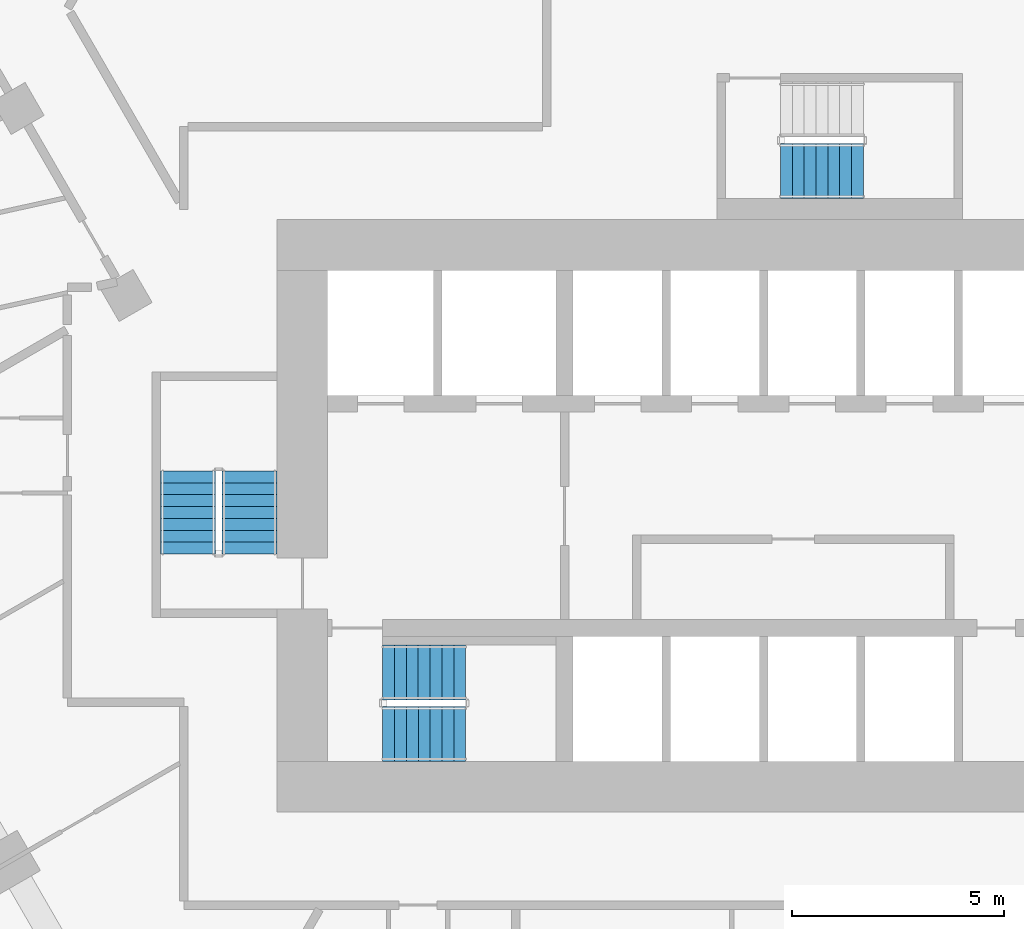
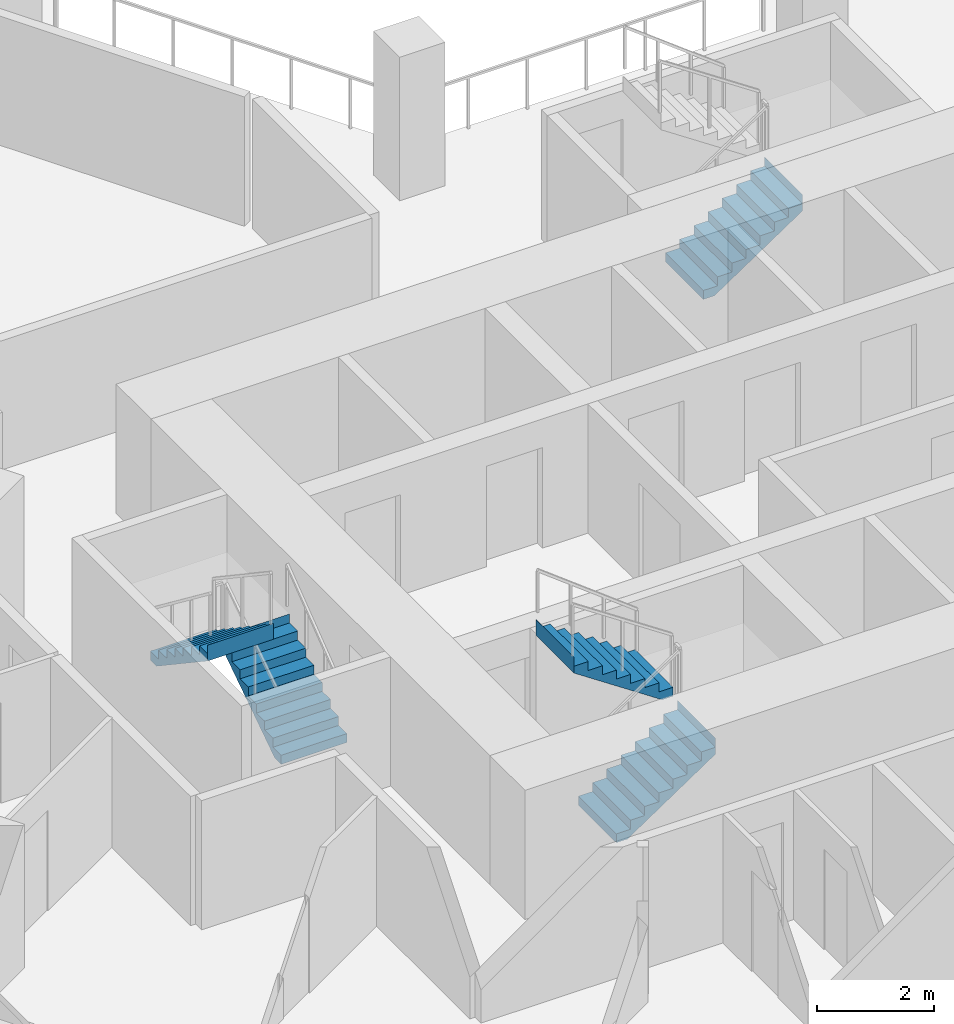
# One storey, part 16 of 21: 5 stair flights, 3 elements without a shape of their own.
"""IFC4 building model written with IfcOpenShell, lengths in metres."""

from ifc_helpers import new_model, si_unit, direction, frame, origin, place, context, subcontext, project, spatial, triangles, material, type_object, element, aggregate, save


model = new_model("IFC4")

# Units and contexts
model_context = context("Model", 3, precision=1e-05, world=origin(), true_north=direction((0.0, 1.0)))
body_context = subcontext(model_context, "Body", "Model", "MODEL_VIEW")
ifc_project = project(units=[si_unit("LENGTHUNIT", "METRE"), si_unit("AREAUNIT", "SQUARE_METRE"), si_unit("VOLUMEUNIT", "CUBIC_METRE"), si_unit("PLANEANGLEUNIT", "RADIAN"), si_unit("MASSUNIT", "GRAM", prefix="KILO")], contexts=[model_context])

# Site, building, storey
site_placement = place(None, origin())
site = spatial("IfcSite", under=ifc_project, at=site_placement, CompositionType="ELEMENT")
building_placement = place(site_placement, origin())
building = spatial("IfcBuilding", under=site, at=building_placement, Name="Beryl Residences", CompositionType="ELEMENT")
storey_placement = place(building_placement, frame((0.0, 0.0, 53.39990234375)))
storey = spatial("IfcBuildingStorey", under=building, at=storey_placement, Name="L16", CompositionType="ELEMENT", Elevation=53.39990234375)

# Stair, stair flights
ifc_material_1 = material(Name="Concrete C40/50", Category="concrete")
stair_type = type_object("IfcStairType", Name="ST1 protected exit stair, half-turn, 1300 mm flights", PredefinedType="HALF_TURN_STAIR", material=ifc_material_1)
stair_1_placement = place(storey_placement, origin())
stair_1 = element("IfcStair", 1, at=stair_1_placement, inside=storey, type_object=stair_type, Name="L16 PROTECTED EXIT STAIR ST-1", PredefinedType="HALF_TURN_STAIR")
ifc_material_2 = material(Name="Concrete C40/50", Category="concrete")
stair_flight_type = type_object("IfcStairFlightType", Name="SF1 stair flight 1300 mm", PredefinedType="STRAIGHT", material=ifc_material_2)
stair_flight_1_placement = place(storey_placement, frame((-10.800048828125, -17.14990234375, 0.0), z_axis=(0.0, 0.0, 1.0), x_axis=(1.0, 0.0, 0.0)))
stair_flight_1 = element("IfcStairFlight", 2, at=stair_flight_1_placement, type_object=stair_flight_type, Name="ST-1 flight 1", NumberOfRisers=8, NumberOfTreads=7, PredefinedType="STRAIGHT", RiserHeight=0.1875, TreadLength=0.28, context=body_context, shape_type="Tessellation", body=[
    triangles([(0.0, -0.64990234375, 0.0), (0.0, -0.324951171875, 0.0), (0.0, 0.0, 0.0), (0.0, 0.324951171875, 0.0), (0.0, 0.64990234375, 0.0), (0.0, -0.64990234375, 0.1875), (0.0, -0.324951171875, 0.1875), (0.0, 0.0, 0.1875), (0.0, 0.324951171875, 0.1875), (0.0, 0.64990234375, 0.1875), (0.280029296875, -0.64990234375, 0.1875), (0.280029296875, -0.324951171875, 0.1875), (0.280029296875, 0.0, 0.1875), (0.280029296875, 0.324951171875, 0.1875), (0.280029296875, 0.64990234375, 0.1875), (0.280029296875, -0.64990234375, 0.375), (0.280029296875, -0.324951171875, 0.375), (0.280029296875, 0.0, 0.375), (0.280029296875, 0.324951171875, 0.375), (0.280029296875, 0.64990234375, 0.375), (0.56005859375, -0.64990234375, 0.375), (0.56005859375, -0.324951171875, 0.375), (0.56005859375, 0.0, 0.375), (0.56005859375, 0.324951171875, 0.375), (0.56005859375, 0.64990234375, 0.375), (0.56005859375, -0.64990234375, 0.5625), (0.56005859375, -0.324951171875, 0.5625), (0.56005859375, 0.0, 0.5625), (0.56005859375, 0.324951171875, 0.5625), (0.56005859375, 0.64990234375, 0.5625), (0.840087890625, -0.64990234375, 0.5625), (0.840087890625, -0.324951171875, 0.5625), (0.840087890625, 0.0, 0.5625), (0.840087890625, 0.324951171875, 0.5625), (0.840087890625, 0.64990234375, 0.5625), (0.840087890625, -0.64990234375, 0.75), (0.840087890625, -0.324951171875, 0.75), (0.840087890625, 0.0, 0.75), (0.840087890625, 0.324951171875, 0.75), (0.840087890625, 0.64990234375, 0.75), (1.1201171875, -0.64990234375, 0.75), (1.1201171875, -0.324951171875, 0.75), (1.1201171875, 0.0, 0.75), (1.1201171875, 0.324951171875, 0.75), (1.1201171875, 0.64990234375, 0.75), (1.1201171875, -0.64990234375, 0.9375), (1.1201171875, -0.324951171875, 0.9375), (1.1201171875, 0.0, 0.9375), (1.1201171875, 0.324951171875, 0.9375), (1.1201171875, 0.64990234375, 0.9375), (1.39990234375, -0.64990234375, 0.9375), (1.39990234375, -0.324951171875, 0.9375), (1.39990234375, 0.0, 0.9375), (1.39990234375, 0.324951171875, 0.9375), (1.39990234375, 0.64990234375, 0.9375), (1.39990234375, -0.64990234375, 1.125), (1.39990234375, -0.324951171875, 1.125), (1.39990234375, 0.0, 1.125), (1.39990234375, 0.324951171875, 1.125), (1.39990234375, 0.64990234375, 1.125), (1.679931640625, -0.64990234375, 1.125), (1.679931640625, -0.324951171875, 1.125), (1.679931640625, 0.0, 1.125), (1.679931640625, 0.324951171875, 1.125), (1.679931640625, 0.64990234375, 1.125), (1.679931640625, -0.64990234375, 1.3125), (1.679931640625, -0.324951171875, 1.3125), (1.679931640625, 0.0, 1.3125), (1.679931640625, 0.324951171875, 1.3125), (1.679931640625, 0.64990234375, 1.3125), (1.9599609375, -0.64990234375, 1.3125), (1.9599609375, -0.324951171875, 1.3125), (1.9599609375, 0.0, 1.3125), (1.9599609375, 0.324951171875, 1.3125), (1.9599609375, 0.64990234375, 1.3125), (1.9599609375, -0.64990234375, 1.5), (1.9599609375, -0.324951171875, 1.5), (1.9599609375, 0.0, 1.5), (1.9599609375, 0.324951171875, 1.5), (1.9599609375, 0.64990234375, 1.5), (1.9609375, -0.64990234375, 1.5), (1.9609375, -0.324951171875, 1.5), (1.9609375, 0.0, 1.5), (1.9609375, 0.324951171875, 1.5), (1.9609375, 0.64990234375, 1.5), (1.9609375, -0.64990234375, 1.16796875), (1.9609375, -0.324951171875, 1.16796875), (1.9609375, 0.0, 1.16796875), (1.9609375, 0.324951171875, 1.16796875), (1.9609375, 0.64990234375, 1.16796875), (0.216796875, -0.64990234375, 0.0), (0.216796875, -0.324951171875, 0.0), (0.216796875, 0.0, 0.0), (0.216796875, 0.324951171875, 0.0), (0.216796875, 0.64990234375, 0.0)], [[1, 6, 7], [1, 7, 2], [2, 7, 8], [2, 8, 3], [3, 8, 9], [3, 9, 4], [4, 9, 10], [4, 10, 5], [6, 11, 12], [6, 12, 7], [7, 12, 13], [7, 13, 8], [8, 13, 14], [8, 14, 9], [9, 14, 15], [9, 15, 10], [11, 16, 17], [11, 17, 12], [12, 17, 18], [12, 18, 13], [13, 18, 19], [13, 19, 14], [14, 19, 20], [14, 20, 15], [16, 21, 22], [16, 22, 17], [17, 22, 23], [17, 23, 18], [18, 23, 24], [18, 24, 19], [19, 24, 25], [19, 25, 20], [21, 26, 27], [21, 27, 22], [22, 27, 28], [22, 28, 23], [23, 28, 29], [23, 29, 24], [24, 29, 30], [24, 30, 25], [26, 31, 32], [26, 32, 27], [27, 32, 33], [27, 33, 28], [28, 33, 34], [28, 34, 29], [29, 34, 35], [29, 35, 30], [31, 36, 37], [31, 37, 32], [32, 37, 38], [32, 38, 33], [33, 38, 39], [33, 39, 34], [34, 39, 40], [34, 40, 35], [36, 41, 42], [36, 42, 37], [37, 42, 43], [37, 43, 38], [38, 43, 44], [38, 44, 39], [39, 44, 45], [39, 45, 40], [41, 46, 47], [41, 47, 42], [42, 47, 48], [42, 48, 43], [43, 48, 49], [43, 49, 44], [44, 49, 50], [44, 50, 45], [46, 51, 52], [46, 52, 47], [47, 52, 53], [47, 53, 48], [48, 53, 54], [48, 54, 49], [49, 54, 55], [49, 55, 50], [51, 56, 57], [51, 57, 52], [52, 57, 58], [52, 58, 53], [53, 58, 59], [53, 59, 54], [54, 59, 60], [54, 60, 55], [56, 61, 62], [56, 62, 57], [57, 62, 63], [57, 63, 58], [58, 63, 64], [58, 64, 59], [59, 64, 65], [59, 65, 60], [61, 66, 67], [61, 67, 62], [62, 67, 68], [62, 68, 63], [63, 68, 69], [63, 69, 64], [64, 69, 70], [64, 70, 65], [66, 71, 72], [66, 72, 67], [67, 72, 73], [67, 73, 68], [68, 73, 74], [68, 74, 69], [69, 74, 75], [69, 75, 70], [71, 76, 77], [71, 77, 72], [72, 77, 78], [72, 78, 73], [73, 78, 79], [73, 79, 74], [74, 79, 80], [74, 80, 75], [76, 81, 82], [76, 82, 77], [77, 82, 83], [77, 83, 78], [78, 83, 84], [78, 84, 79], [79, 84, 85], [79, 85, 80], [81, 86, 87], [81, 87, 82], [82, 87, 88], [82, 88, 83], [83, 88, 89], [83, 89, 84], [84, 89, 90], [84, 90, 85], [86, 91, 92], [86, 92, 87], [87, 92, 93], [87, 93, 88], [88, 93, 94], [88, 94, 89], [89, 94, 95], [89, 95, 90], [91, 1, 2], [91, 2, 92], [92, 2, 3], [92, 3, 93], [93, 3, 4], [93, 4, 94], [94, 4, 5], [94, 5, 95], [1, 91, 86], [5, 90, 95], [86, 81, 76], [90, 80, 85], [86, 76, 71], [90, 75, 80], [86, 71, 66], [90, 70, 75], [86, 66, 61], [90, 65, 70], [61, 56, 51], [65, 55, 60], [86, 61, 51], [90, 55, 65], [51, 46, 41], [55, 45, 50], [86, 51, 41], [90, 45, 55], [41, 36, 31], [45, 35, 40], [86, 41, 31], [90, 35, 45], [31, 26, 21], [35, 25, 30], [86, 31, 21], [90, 25, 35], [21, 16, 11], [25, 15, 20], [86, 21, 11], [90, 15, 25], [1, 86, 11], [5, 15, 90], [11, 6, 1], [15, 5, 10]], closed=True),
])
stair_flight_2_placement = place(storey_placement, frame((-8.840087890625, -15.699951171875, 1.5), z_axis=(0.0, 0.0, 1.0), x_axis=(-1.0, 0.0, 0.0)))
stair_flight_2 = element("IfcStairFlight", 3, at=stair_flight_2_placement, type_object=stair_flight_type, Name="ST-1 flight 2", NumberOfRisers=8, NumberOfTreads=7, PredefinedType="STRAIGHT", RiserHeight=0.1875, TreadLength=0.28, context=body_context, shape_type="Tessellation", body=[
    triangles([(0.0, -0.64990234375, 0.0), (0.0, -0.324951171875, 0.0), (0.0, 0.0, 0.0), (0.0, 0.324951171875, 0.0), (0.0, 0.64990234375, 0.0), (0.0, -0.64990234375, 0.1875), (0.0, -0.324951171875, 0.1875), (0.0, 0.0, 0.1875), (0.0, 0.324951171875, 0.1875), (0.0, 0.64990234375, 0.1875), (0.280029296875, -0.64990234375, 0.1875), (0.280029296875, -0.324951171875, 0.1875), (0.280029296875, 0.0, 0.1875), (0.280029296875, 0.324951171875, 0.1875), (0.280029296875, 0.64990234375, 0.1875), (0.280029296875, -0.64990234375, 0.375), (0.280029296875, -0.324951171875, 0.375), (0.280029296875, 0.0, 0.375), (0.280029296875, 0.324951171875, 0.375), (0.280029296875, 0.64990234375, 0.375), (0.56005859375, -0.64990234375, 0.375), (0.56005859375, -0.324951171875, 0.375), (0.56005859375, 0.0, 0.375), (0.56005859375, 0.324951171875, 0.375), (0.56005859375, 0.64990234375, 0.375), (0.56005859375, -0.64990234375, 0.5625), (0.56005859375, -0.324951171875, 0.5625), (0.56005859375, 0.0, 0.5625), (0.56005859375, 0.324951171875, 0.5625), (0.56005859375, 0.64990234375, 0.5625), (0.840087890625, -0.64990234375, 0.5625), (0.840087890625, -0.324951171875, 0.5625), (0.840087890625, 0.0, 0.5625), (0.840087890625, 0.324951171875, 0.5625), (0.840087890625, 0.64990234375, 0.5625), (0.840087890625, -0.64990234375, 0.75), (0.840087890625, -0.324951171875, 0.75), (0.840087890625, 0.0, 0.75), (0.840087890625, 0.324951171875, 0.75), (0.840087890625, 0.64990234375, 0.75), (1.1201171875, -0.64990234375, 0.75), (1.1201171875, -0.324951171875, 0.75), (1.1201171875, 0.0, 0.75), (1.1201171875, 0.324951171875, 0.75), (1.1201171875, 0.64990234375, 0.75), (1.1201171875, -0.64990234375, 0.9375), (1.1201171875, -0.324951171875, 0.9375), (1.1201171875, 0.0, 0.9375), (1.1201171875, 0.324951171875, 0.9375), (1.1201171875, 0.64990234375, 0.9375), (1.39990234375, -0.64990234375, 0.9375), (1.39990234375, -0.324951171875, 0.9375), (1.39990234375, 0.0, 0.9375), (1.39990234375, 0.324951171875, 0.9375), (1.39990234375, 0.64990234375, 0.9375), (1.39990234375, -0.64990234375, 1.125), (1.39990234375, -0.324951171875, 1.125), (1.39990234375, 0.0, 1.125), (1.39990234375, 0.324951171875, 1.125), (1.39990234375, 0.64990234375, 1.125), (1.679931640625, -0.64990234375, 1.125), (1.679931640625, -0.324951171875, 1.125), (1.679931640625, 0.0, 1.125), (1.679931640625, 0.324951171875, 1.125), (1.679931640625, 0.64990234375, 1.125), (1.679931640625, -0.64990234375, 1.3125), (1.679931640625, -0.324951171875, 1.3125), (1.679931640625, 0.0, 1.3125), (1.679931640625, 0.324951171875, 1.3125), (1.679931640625, 0.64990234375, 1.3125), (1.9599609375, -0.64990234375, 1.3125), (1.9599609375, -0.324951171875, 1.3125), (1.9599609375, 0.0, 1.3125), (1.9599609375, 0.324951171875, 1.3125), (1.9599609375, 0.64990234375, 1.3125), (1.9599609375, -0.64990234375, 1.5), (1.9599609375, -0.324951171875, 1.5), (1.9599609375, 0.0, 1.5), (1.9599609375, 0.324951171875, 1.5), (1.9599609375, 0.64990234375, 1.5), (1.9609375, -0.64990234375, 1.5), (1.9609375, -0.324951171875, 1.5), (1.9609375, 0.0, 1.5), (1.9609375, 0.324951171875, 1.5), (1.9609375, 0.64990234375, 1.5), (1.9609375, -0.64990234375, 1.16796875), (1.9609375, -0.324951171875, 1.16796875), (1.9609375, 0.0, 1.16796875), (1.9609375, 0.324951171875, 1.16796875), (1.9609375, 0.64990234375, 1.16796875), (0.216796875, -0.64990234375, 0.0), (0.216796875, -0.324951171875, 0.0), (0.216796875, 0.0, 0.0), (0.216796875, 0.324951171875, 0.0), (0.216796875, 0.64990234375, 0.0)], [[1, 6, 7], [1, 7, 2], [2, 7, 8], [2, 8, 3], [3, 8, 9], [3, 9, 4], [4, 9, 10], [4, 10, 5], [6, 11, 12], [6, 12, 7], [7, 12, 13], [7, 13, 8], [8, 13, 14], [8, 14, 9], [9, 14, 15], [9, 15, 10], [11, 16, 17], [11, 17, 12], [12, 17, 18], [12, 18, 13], [13, 18, 19], [13, 19, 14], [14, 19, 20], [14, 20, 15], [16, 21, 22], [16, 22, 17], [17, 22, 23], [17, 23, 18], [18, 23, 24], [18, 24, 19], [19, 24, 25], [19, 25, 20], [21, 26, 27], [21, 27, 22], [22, 27, 28], [22, 28, 23], [23, 28, 29], [23, 29, 24], [24, 29, 30], [24, 30, 25], [26, 31, 32], [26, 32, 27], [27, 32, 33], [27, 33, 28], [28, 33, 34], [28, 34, 29], [29, 34, 35], [29, 35, 30], [31, 36, 37], [31, 37, 32], [32, 37, 38], [32, 38, 33], [33, 38, 39], [33, 39, 34], [34, 39, 40], [34, 40, 35], [36, 41, 42], [36, 42, 37], [37, 42, 43], [37, 43, 38], [38, 43, 44], [38, 44, 39], [39, 44, 45], [39, 45, 40], [41, 46, 47], [41, 47, 42], [42, 47, 48], [42, 48, 43], [43, 48, 49], [43, 49, 44], [44, 49, 50], [44, 50, 45], [46, 51, 52], [46, 52, 47], [47, 52, 53], [47, 53, 48], [48, 53, 54], [48, 54, 49], [49, 54, 55], [49, 55, 50], [51, 56, 57], [51, 57, 52], [52, 57, 58], [52, 58, 53], [53, 58, 59], [53, 59, 54], [54, 59, 60], [54, 60, 55], [56, 61, 62], [56, 62, 57], [57, 62, 63], [57, 63, 58], [58, 63, 64], [58, 64, 59], [59, 64, 65], [59, 65, 60], [61, 66, 67], [61, 67, 62], [62, 67, 68], [62, 68, 63], [63, 68, 69], [63, 69, 64], [64, 69, 70], [64, 70, 65], [66, 71, 72], [66, 72, 67], [67, 72, 73], [67, 73, 68], [68, 73, 74], [68, 74, 69], [69, 74, 75], [69, 75, 70], [71, 76, 77], [71, 77, 72], [72, 77, 78], [72, 78, 73], [73, 78, 79], [73, 79, 74], [74, 79, 80], [74, 80, 75], [76, 81, 82], [76, 82, 77], [77, 82, 83], [77, 83, 78], [78, 83, 84], [78, 84, 79], [79, 84, 85], [79, 85, 80], [81, 86, 87], [81, 87, 82], [82, 87, 88], [82, 88, 83], [83, 88, 89], [83, 89, 84], [84, 89, 90], [84, 90, 85], [86, 91, 92], [86, 92, 87], [87, 92, 93], [87, 93, 88], [88, 93, 94], [88, 94, 89], [89, 94, 95], [89, 95, 90], [91, 1, 2], [91, 2, 92], [92, 2, 3], [92, 3, 93], [93, 3, 4], [93, 4, 94], [94, 4, 5], [94, 5, 95], [1, 91, 86], [5, 90, 95], [86, 81, 76], [90, 80, 85], [86, 76, 71], [90, 75, 80], [86, 71, 66], [90, 70, 75], [86, 66, 61], [90, 65, 70], [61, 56, 51], [65, 55, 60], [86, 61, 51], [90, 55, 65], [51, 46, 41], [55, 45, 50], [86, 51, 41], [90, 45, 55], [41, 36, 31], [45, 35, 40], [86, 41, 31], [90, 35, 45], [31, 26, 21], [35, 25, 30], [86, 31, 21], [90, 25, 35], [21, 16, 11], [25, 15, 20], [86, 21, 11], [90, 15, 25], [1, 86, 11], [5, 15, 90], [11, 6, 1], [15, 5, 10]], closed=True),
])
aggregate(stair_1, [stair_flight_1, stair_flight_2])

stair_2_placement = place(storey_placement, origin())
stair_2 = element("IfcStair", 4, at=stair_2_placement, inside=storey, type_object=stair_type, Name="L16 PROTECTED EXIT STAIR ST-2", PredefinedType="HALF_TURN_STAIR")
stair_flight_3_placement = place(storey_placement, frame((-13.949951171875, -12.89990234375, 0.0), z_axis=(0.0, 0.0, 1.0), x_axis=(0.0, 1.0, 0.0)))
stair_flight_3 = element("IfcStairFlight", 5, at=stair_flight_3_placement, type_object=stair_flight_type, Name="ST-2 flight 1", NumberOfRisers=8, NumberOfTreads=7, PredefinedType="STRAIGHT", RiserHeight=0.1875, TreadLength=0.28, context=body_context, shape_type="Tessellation", body=[
    triangles([(0.0, -0.64990234375, 0.0), (0.0, -0.324951171875, 0.0), (0.0, 0.0, 0.0), (0.0, 0.324951171875, 0.0), (0.0, 0.64990234375, 0.0), (0.0, -0.64990234375, 0.1875), (0.0, -0.324951171875, 0.1875), (0.0, 0.0, 0.1875), (0.0, 0.324951171875, 0.1875), (0.0, 0.64990234375, 0.1875), (0.280029296875, -0.64990234375, 0.1875), (0.280029296875, -0.324951171875, 0.1875), (0.280029296875, 0.0, 0.1875), (0.280029296875, 0.324951171875, 0.1875), (0.280029296875, 0.64990234375, 0.1875), (0.280029296875, -0.64990234375, 0.375), (0.280029296875, -0.324951171875, 0.375), (0.280029296875, 0.0, 0.375), (0.280029296875, 0.324951171875, 0.375), (0.280029296875, 0.64990234375, 0.375), (0.56005859375, -0.64990234375, 0.375), (0.56005859375, -0.324951171875, 0.375), (0.56005859375, 0.0, 0.375), (0.56005859375, 0.324951171875, 0.375), (0.56005859375, 0.64990234375, 0.375), (0.56005859375, -0.64990234375, 0.5625), (0.56005859375, -0.324951171875, 0.5625), (0.56005859375, 0.0, 0.5625), (0.56005859375, 0.324951171875, 0.5625), (0.56005859375, 0.64990234375, 0.5625), (0.840087890625, -0.64990234375, 0.5625), (0.840087890625, -0.324951171875, 0.5625), (0.840087890625, 0.0, 0.5625), (0.840087890625, 0.324951171875, 0.5625), (0.840087890625, 0.64990234375, 0.5625), (0.840087890625, -0.64990234375, 0.75), (0.840087890625, -0.324951171875, 0.75), (0.840087890625, 0.0, 0.75), (0.840087890625, 0.324951171875, 0.75), (0.840087890625, 0.64990234375, 0.75), (1.1201171875, -0.64990234375, 0.75), (1.1201171875, -0.324951171875, 0.75), (1.1201171875, 0.0, 0.75), (1.1201171875, 0.324951171875, 0.75), (1.1201171875, 0.64990234375, 0.75), (1.1201171875, -0.64990234375, 0.9375), (1.1201171875, -0.324951171875, 0.9375), (1.1201171875, 0.0, 0.9375), (1.1201171875, 0.324951171875, 0.9375), (1.1201171875, 0.64990234375, 0.9375), (1.39990234375, -0.64990234375, 0.9375), (1.39990234375, -0.324951171875, 0.9375), (1.39990234375, 0.0, 0.9375), (1.39990234375, 0.324951171875, 0.9375), (1.39990234375, 0.64990234375, 0.9375), (1.39990234375, -0.64990234375, 1.125), (1.39990234375, -0.324951171875, 1.125), (1.39990234375, 0.0, 1.125), (1.39990234375, 0.324951171875, 1.125), (1.39990234375, 0.64990234375, 1.125), (1.679931640625, -0.64990234375, 1.125), (1.679931640625, -0.324951171875, 1.125), (1.679931640625, 0.0, 1.125), (1.679931640625, 0.324951171875, 1.125), (1.679931640625, 0.64990234375, 1.125), (1.679931640625, -0.64990234375, 1.3125), (1.679931640625, -0.324951171875, 1.3125), (1.679931640625, 0.0, 1.3125), (1.679931640625, 0.324951171875, 1.3125), (1.679931640625, 0.64990234375, 1.3125), (1.9599609375, -0.64990234375, 1.3125), (1.9599609375, -0.324951171875, 1.3125), (1.9599609375, 0.0, 1.3125), (1.9599609375, 0.324951171875, 1.3125), (1.9599609375, 0.64990234375, 1.3125), (1.9599609375, -0.64990234375, 1.5), (1.9599609375, -0.324951171875, 1.5), (1.9599609375, 0.0, 1.5), (1.9599609375, 0.324951171875, 1.5), (1.9599609375, 0.64990234375, 1.5), (1.9609375, -0.64990234375, 1.5), (1.9609375, -0.324951171875, 1.5), (1.9609375, 0.0, 1.5), (1.9609375, 0.324951171875, 1.5), (1.9609375, 0.64990234375, 1.5), (1.9609375, -0.64990234375, 1.16796875), (1.9609375, -0.324951171875, 1.16796875), (1.9609375, 0.0, 1.16796875), (1.9609375, 0.324951171875, 1.16796875), (1.9609375, 0.64990234375, 1.16796875), (0.216796875, -0.64990234375, 0.0), (0.216796875, -0.324951171875, 0.0), (0.216796875, 0.0, 0.0), (0.216796875, 0.324951171875, 0.0), (0.216796875, 0.64990234375, 0.0)], [[1, 6, 7], [1, 7, 2], [2, 7, 8], [2, 8, 3], [3, 8, 9], [3, 9, 4], [4, 9, 10], [4, 10, 5], [6, 11, 12], [6, 12, 7], [7, 12, 13], [7, 13, 8], [8, 13, 14], [8, 14, 9], [9, 14, 15], [9, 15, 10], [11, 16, 17], [11, 17, 12], [12, 17, 18], [12, 18, 13], [13, 18, 19], [13, 19, 14], [14, 19, 20], [14, 20, 15], [16, 21, 22], [16, 22, 17], [17, 22, 23], [17, 23, 18], [18, 23, 24], [18, 24, 19], [19, 24, 25], [19, 25, 20], [21, 26, 27], [21, 27, 22], [22, 27, 28], [22, 28, 23], [23, 28, 29], [23, 29, 24], [24, 29, 30], [24, 30, 25], [26, 31, 32], [26, 32, 27], [27, 32, 33], [27, 33, 28], [28, 33, 34], [28, 34, 29], [29, 34, 35], [29, 35, 30], [31, 36, 37], [31, 37, 32], [32, 37, 38], [32, 38, 33], [33, 38, 39], [33, 39, 34], [34, 39, 40], [34, 40, 35], [36, 41, 42], [36, 42, 37], [37, 42, 43], [37, 43, 38], [38, 43, 44], [38, 44, 39], [39, 44, 45], [39, 45, 40], [41, 46, 47], [41, 47, 42], [42, 47, 48], [42, 48, 43], [43, 48, 49], [43, 49, 44], [44, 49, 50], [44, 50, 45], [46, 51, 52], [46, 52, 47], [47, 52, 53], [47, 53, 48], [48, 53, 54], [48, 54, 49], [49, 54, 55], [49, 55, 50], [51, 56, 57], [51, 57, 52], [52, 57, 58], [52, 58, 53], [53, 58, 59], [53, 59, 54], [54, 59, 60], [54, 60, 55], [56, 61, 62], [56, 62, 57], [57, 62, 63], [57, 63, 58], [58, 63, 64], [58, 64, 59], [59, 64, 65], [59, 65, 60], [61, 66, 67], [61, 67, 62], [62, 67, 68], [62, 68, 63], [63, 68, 69], [63, 69, 64], [64, 69, 70], [64, 70, 65], [66, 71, 72], [66, 72, 67], [67, 72, 73], [67, 73, 68], [68, 73, 74], [68, 74, 69], [69, 74, 75], [69, 75, 70], [71, 76, 77], [71, 77, 72], [72, 77, 78], [72, 78, 73], [73, 78, 79], [73, 79, 74], [74, 79, 80], [74, 80, 75], [76, 81, 82], [76, 82, 77], [77, 82, 83], [77, 83, 78], [78, 83, 84], [78, 84, 79], [79, 84, 85], [79, 85, 80], [81, 86, 87], [81, 87, 82], [82, 87, 88], [82, 88, 83], [83, 88, 89], [83, 89, 84], [84, 89, 90], [84, 90, 85], [86, 91, 92], [86, 92, 87], [87, 92, 93], [87, 93, 88], [88, 93, 94], [88, 94, 89], [89, 94, 95], [89, 95, 90], [91, 1, 2], [91, 2, 92], [92, 2, 3], [92, 3, 93], [93, 3, 4], [93, 4, 94], [94, 4, 5], [94, 5, 95], [1, 91, 86], [5, 90, 95], [86, 81, 76], [90, 80, 85], [86, 76, 71], [90, 75, 80], [86, 71, 66], [90, 70, 75], [86, 66, 61], [90, 65, 70], [61, 56, 51], [65, 55, 60], [86, 61, 51], [90, 55, 65], [51, 46, 41], [55, 45, 50], [86, 51, 41], [90, 45, 55], [41, 36, 31], [45, 35, 40], [86, 41, 31], [90, 35, 45], [31, 26, 21], [35, 25, 30], [86, 31, 21], [90, 25, 35], [21, 16, 11], [25, 15, 20], [86, 21, 11], [90, 15, 25], [1, 86, 11], [5, 15, 90], [11, 6, 1], [15, 5, 10]], closed=True),
])
stair_flight_4_placement = place(storey_placement, frame((-15.39990234375, -10.93994140625, 1.5), z_axis=(0.0, 0.0, 1.0), x_axis=(0.0, -1.0, 0.0)))
stair_flight_4 = element("IfcStairFlight", 6, at=stair_flight_4_placement, type_object=stair_flight_type, Name="ST-2 flight 2", NumberOfRisers=8, NumberOfTreads=7, PredefinedType="STRAIGHT", RiserHeight=0.1875, TreadLength=0.28, context=body_context, shape_type="Tessellation", body=[
    triangles([(0.0, -0.64990234375, 0.0), (0.0, -0.324951171875, 0.0), (0.0, 0.0, 0.0), (0.0, 0.324951171875, 0.0), (0.0, 0.64990234375, 0.0), (0.0, -0.64990234375, 0.1875), (0.0, -0.324951171875, 0.1875), (0.0, 0.0, 0.1875), (0.0, 0.324951171875, 0.1875), (0.0, 0.64990234375, 0.1875), (0.280029296875, -0.64990234375, 0.1875), (0.280029296875, -0.324951171875, 0.1875), (0.280029296875, 0.0, 0.1875), (0.280029296875, 0.324951171875, 0.1875), (0.280029296875, 0.64990234375, 0.1875), (0.280029296875, -0.64990234375, 0.375), (0.280029296875, -0.324951171875, 0.375), (0.280029296875, 0.0, 0.375), (0.280029296875, 0.324951171875, 0.375), (0.280029296875, 0.64990234375, 0.375), (0.56005859375, -0.64990234375, 0.375), (0.56005859375, -0.324951171875, 0.375), (0.56005859375, 0.0, 0.375), (0.56005859375, 0.324951171875, 0.375), (0.56005859375, 0.64990234375, 0.375), (0.56005859375, -0.64990234375, 0.5625), (0.56005859375, -0.324951171875, 0.5625), (0.56005859375, 0.0, 0.5625), (0.56005859375, 0.324951171875, 0.5625), (0.56005859375, 0.64990234375, 0.5625), (0.840087890625, -0.64990234375, 0.5625), (0.840087890625, -0.324951171875, 0.5625), (0.840087890625, 0.0, 0.5625), (0.840087890625, 0.324951171875, 0.5625), (0.840087890625, 0.64990234375, 0.5625), (0.840087890625, -0.64990234375, 0.75), (0.840087890625, -0.324951171875, 0.75), (0.840087890625, 0.0, 0.75), (0.840087890625, 0.324951171875, 0.75), (0.840087890625, 0.64990234375, 0.75), (1.1201171875, -0.64990234375, 0.75), (1.1201171875, -0.324951171875, 0.75), (1.1201171875, 0.0, 0.75), (1.1201171875, 0.324951171875, 0.75), (1.1201171875, 0.64990234375, 0.75), (1.1201171875, -0.64990234375, 0.9375), (1.1201171875, -0.324951171875, 0.9375), (1.1201171875, 0.0, 0.9375), (1.1201171875, 0.324951171875, 0.9375), (1.1201171875, 0.64990234375, 0.9375), (1.39990234375, -0.64990234375, 0.9375), (1.39990234375, -0.324951171875, 0.9375), (1.39990234375, 0.0, 0.9375), (1.39990234375, 0.324951171875, 0.9375), (1.39990234375, 0.64990234375, 0.9375), (1.39990234375, -0.64990234375, 1.125), (1.39990234375, -0.324951171875, 1.125), (1.39990234375, 0.0, 1.125), (1.39990234375, 0.324951171875, 1.125), (1.39990234375, 0.64990234375, 1.125), (1.679931640625, -0.64990234375, 1.125), (1.679931640625, -0.324951171875, 1.125), (1.679931640625, 0.0, 1.125), (1.679931640625, 0.324951171875, 1.125), (1.679931640625, 0.64990234375, 1.125), (1.679931640625, -0.64990234375, 1.3125), (1.679931640625, -0.324951171875, 1.3125), (1.679931640625, 0.0, 1.3125), (1.679931640625, 0.324951171875, 1.3125), (1.679931640625, 0.64990234375, 1.3125), (1.9599609375, -0.64990234375, 1.3125), (1.9599609375, -0.324951171875, 1.3125), (1.9599609375, 0.0, 1.3125), (1.9599609375, 0.324951171875, 1.3125), (1.9599609375, 0.64990234375, 1.3125), (1.9599609375, -0.64990234375, 1.5), (1.9599609375, -0.324951171875, 1.5), (1.9599609375, 0.0, 1.5), (1.9599609375, 0.324951171875, 1.5), (1.9599609375, 0.64990234375, 1.5), (1.9609375, -0.64990234375, 1.5), (1.9609375, -0.324951171875, 1.5), (1.9609375, 0.0, 1.5), (1.9609375, 0.324951171875, 1.5), (1.9609375, 0.64990234375, 1.5), (1.9609375, -0.64990234375, 1.16796875), (1.9609375, -0.324951171875, 1.16796875), (1.9609375, 0.0, 1.16796875), (1.9609375, 0.324951171875, 1.16796875), (1.9609375, 0.64990234375, 1.16796875), (0.216796875, -0.64990234375, 0.0), (0.216796875, -0.324951171875, 0.0), (0.216796875, 0.0, 0.0), (0.216796875, 0.324951171875, 0.0), (0.216796875, 0.64990234375, 0.0)], [[1, 6, 7], [1, 7, 2], [2, 7, 8], [2, 8, 3], [3, 8, 9], [3, 9, 4], [4, 9, 10], [4, 10, 5], [6, 11, 12], [6, 12, 7], [7, 12, 13], [7, 13, 8], [8, 13, 14], [8, 14, 9], [9, 14, 15], [9, 15, 10], [11, 16, 17], [11, 17, 12], [12, 17, 18], [12, 18, 13], [13, 18, 19], [13, 19, 14], [14, 19, 20], [14, 20, 15], [16, 21, 22], [16, 22, 17], [17, 22, 23], [17, 23, 18], [18, 23, 24], [18, 24, 19], [19, 24, 25], [19, 25, 20], [21, 26, 27], [21, 27, 22], [22, 27, 28], [22, 28, 23], [23, 28, 29], [23, 29, 24], [24, 29, 30], [24, 30, 25], [26, 31, 32], [26, 32, 27], [27, 32, 33], [27, 33, 28], [28, 33, 34], [28, 34, 29], [29, 34, 35], [29, 35, 30], [31, 36, 37], [31, 37, 32], [32, 37, 38], [32, 38, 33], [33, 38, 39], [33, 39, 34], [34, 39, 40], [34, 40, 35], [36, 41, 42], [36, 42, 37], [37, 42, 43], [37, 43, 38], [38, 43, 44], [38, 44, 39], [39, 44, 45], [39, 45, 40], [41, 46, 47], [41, 47, 42], [42, 47, 48], [42, 48, 43], [43, 48, 49], [43, 49, 44], [44, 49, 50], [44, 50, 45], [46, 51, 52], [46, 52, 47], [47, 52, 53], [47, 53, 48], [48, 53, 54], [48, 54, 49], [49, 54, 55], [49, 55, 50], [51, 56, 57], [51, 57, 52], [52, 57, 58], [52, 58, 53], [53, 58, 59], [53, 59, 54], [54, 59, 60], [54, 60, 55], [56, 61, 62], [56, 62, 57], [57, 62, 63], [57, 63, 58], [58, 63, 64], [58, 64, 59], [59, 64, 65], [59, 65, 60], [61, 66, 67], [61, 67, 62], [62, 67, 68], [62, 68, 63], [63, 68, 69], [63, 69, 64], [64, 69, 70], [64, 70, 65], [66, 71, 72], [66, 72, 67], [67, 72, 73], [67, 73, 68], [68, 73, 74], [68, 74, 69], [69, 74, 75], [69, 75, 70], [71, 76, 77], [71, 77, 72], [72, 77, 78], [72, 78, 73], [73, 78, 79], [73, 79, 74], [74, 79, 80], [74, 80, 75], [76, 81, 82], [76, 82, 77], [77, 82, 83], [77, 83, 78], [78, 83, 84], [78, 84, 79], [79, 84, 85], [79, 85, 80], [81, 86, 87], [81, 87, 82], [82, 87, 88], [82, 88, 83], [83, 88, 89], [83, 89, 84], [84, 89, 90], [84, 90, 85], [86, 91, 92], [86, 92, 87], [87, 92, 93], [87, 93, 88], [88, 93, 94], [88, 94, 89], [89, 94, 95], [89, 95, 90], [91, 1, 2], [91, 2, 92], [92, 2, 3], [92, 3, 93], [93, 3, 4], [93, 4, 94], [94, 4, 5], [94, 5, 95], [1, 91, 86], [5, 90, 95], [86, 81, 76], [90, 80, 85], [86, 76, 71], [90, 75, 80], [86, 71, 66], [90, 70, 75], [86, 66, 61], [90, 65, 70], [61, 56, 51], [65, 55, 60], [86, 61, 51], [90, 55, 65], [51, 46, 41], [55, 45, 50], [86, 51, 41], [90, 45, 55], [41, 36, 31], [45, 35, 40], [86, 41, 31], [90, 35, 45], [31, 26, 21], [35, 25, 30], [86, 31, 21], [90, 25, 35], [21, 16, 11], [25, 15, 20], [86, 21, 11], [90, 15, 25], [1, 86, 11], [5, 15, 90], [11, 6, 1], [15, 5, 10]], closed=True),
])
aggregate(stair_2, [stair_flight_3, stair_flight_4])

# Stair, stair flight
stair_3_placement = place(storey_placement, origin())
stair_3 = element("IfcStair", 7, at=stair_3_placement, inside=storey, type_object=stair_type, Name="L16 PROTECTED EXIT STAIR ST-4", PredefinedType="HALF_TURN_STAIR")
stair_flight_5_placement = place(storey_placement, frame((-1.39990234375, -3.85009765625, 0.0), z_axis=(0.0, 0.0, 1.0), x_axis=(1.0, 0.0, 0.0)))
stair_flight_5 = element("IfcStairFlight", 8, at=stair_flight_5_placement, type_object=stair_flight_type, Name="ST-4 flight 1", NumberOfRisers=8, NumberOfTreads=7, PredefinedType="STRAIGHT", RiserHeight=0.1875, TreadLength=0.28, context=body_context, shape_type="Tessellation", body=[
    triangles([(0.0, -0.64990234375, 0.0), (0.0, -0.324951171875, 0.0), (0.0, 0.0, 0.0), (0.0, 0.324951171875, 0.0), (0.0, 0.64990234375, 0.0), (0.0, -0.64990234375, 0.1875), (0.0, -0.324951171875, 0.1875), (0.0, 0.0, 0.1875), (0.0, 0.324951171875, 0.1875), (0.0, 0.64990234375, 0.1875), (0.280029296875, -0.64990234375, 0.1875), (0.280029296875, -0.324951171875, 0.1875), (0.280029296875, 0.0, 0.1875), (0.280029296875, 0.324951171875, 0.1875), (0.280029296875, 0.64990234375, 0.1875), (0.280029296875, -0.64990234375, 0.375), (0.280029296875, -0.324951171875, 0.375), (0.280029296875, 0.0, 0.375), (0.280029296875, 0.324951171875, 0.375), (0.280029296875, 0.64990234375, 0.375), (0.56005859375, -0.64990234375, 0.375), (0.56005859375, -0.324951171875, 0.375), (0.56005859375, 0.0, 0.375), (0.56005859375, 0.324951171875, 0.375), (0.56005859375, 0.64990234375, 0.375), (0.56005859375, -0.64990234375, 0.5625), (0.56005859375, -0.324951171875, 0.5625), (0.56005859375, 0.0, 0.5625), (0.56005859375, 0.324951171875, 0.5625), (0.56005859375, 0.64990234375, 0.5625), (0.840087890625, -0.64990234375, 0.5625), (0.840087890625, -0.324951171875, 0.5625), (0.840087890625, 0.0, 0.5625), (0.840087890625, 0.324951171875, 0.5625), (0.840087890625, 0.64990234375, 0.5625), (0.840087890625, -0.64990234375, 0.75), (0.840087890625, -0.324951171875, 0.75), (0.840087890625, 0.0, 0.75), (0.840087890625, 0.324951171875, 0.75), (0.840087890625, 0.64990234375, 0.75), (1.1201171875, -0.64990234375, 0.75), (1.1201171875, -0.324951171875, 0.75), (1.1201171875, 0.0, 0.75), (1.1201171875, 0.324951171875, 0.75), (1.1201171875, 0.64990234375, 0.75), (1.1201171875, -0.64990234375, 0.9375), (1.1201171875, -0.324951171875, 0.9375), (1.1201171875, 0.0, 0.9375), (1.1201171875, 0.324951171875, 0.9375), (1.1201171875, 0.64990234375, 0.9375), (1.39990234375, -0.64990234375, 0.9375), (1.39990234375, -0.324951171875, 0.9375), (1.39990234375, 0.0, 0.9375), (1.39990234375, 0.324951171875, 0.9375), (1.39990234375, 0.64990234375, 0.9375), (1.39990234375, -0.64990234375, 1.125), (1.39990234375, -0.324951171875, 1.125), (1.39990234375, 0.0, 1.125), (1.39990234375, 0.324951171875, 1.125), (1.39990234375, 0.64990234375, 1.125), (1.679931640625, -0.64990234375, 1.125), (1.679931640625, -0.324951171875, 1.125), (1.679931640625, 0.0, 1.125), (1.679931640625, 0.324951171875, 1.125), (1.679931640625, 0.64990234375, 1.125), (1.679931640625, -0.64990234375, 1.3125), (1.679931640625, -0.324951171875, 1.3125), (1.679931640625, 0.0, 1.3125), (1.679931640625, 0.324951171875, 1.3125), (1.679931640625, 0.64990234375, 1.3125), (1.9599609375, -0.64990234375, 1.3125), (1.9599609375, -0.324951171875, 1.3125), (1.9599609375, 0.0, 1.3125), (1.9599609375, 0.324951171875, 1.3125), (1.9599609375, 0.64990234375, 1.3125), (1.9599609375, -0.64990234375, 1.5), (1.9599609375, -0.324951171875, 1.5), (1.9599609375, 0.0, 1.5), (1.9599609375, 0.324951171875, 1.5), (1.9599609375, 0.64990234375, 1.5), (1.9609375, -0.64990234375, 1.5), (1.9609375, -0.324951171875, 1.5), (1.9609375, 0.0, 1.5), (1.9609375, 0.324951171875, 1.5), (1.9609375, 0.64990234375, 1.5), (1.9609375, -0.64990234375, 1.16796875), (1.9609375, -0.324951171875, 1.16796875), (1.9609375, 0.0, 1.16796875), (1.9609375, 0.324951171875, 1.16796875), (1.9609375, 0.64990234375, 1.16796875), (0.216796875, -0.64990234375, 0.0), (0.216796875, -0.324951171875, 0.0), (0.216796875, 0.0, 0.0), (0.216796875, 0.324951171875, 0.0), (0.216796875, 0.64990234375, 0.0)], [[1, 6, 7], [1, 7, 2], [2, 7, 8], [2, 8, 3], [3, 8, 9], [3, 9, 4], [4, 9, 10], [4, 10, 5], [6, 11, 12], [6, 12, 7], [7, 12, 13], [7, 13, 8], [8, 13, 14], [8, 14, 9], [9, 14, 15], [9, 15, 10], [11, 16, 17], [11, 17, 12], [12, 17, 18], [12, 18, 13], [13, 18, 19], [13, 19, 14], [14, 19, 20], [14, 20, 15], [16, 21, 22], [16, 22, 17], [17, 22, 23], [17, 23, 18], [18, 23, 24], [18, 24, 19], [19, 24, 25], [19, 25, 20], [21, 26, 27], [21, 27, 22], [22, 27, 28], [22, 28, 23], [23, 28, 29], [23, 29, 24], [24, 29, 30], [24, 30, 25], [26, 31, 32], [26, 32, 27], [27, 32, 33], [27, 33, 28], [28, 33, 34], [28, 34, 29], [29, 34, 35], [29, 35, 30], [31, 36, 37], [31, 37, 32], [32, 37, 38], [32, 38, 33], [33, 38, 39], [33, 39, 34], [34, 39, 40], [34, 40, 35], [36, 41, 42], [36, 42, 37], [37, 42, 43], [37, 43, 38], [38, 43, 44], [38, 44, 39], [39, 44, 45], [39, 45, 40], [41, 46, 47], [41, 47, 42], [42, 47, 48], [42, 48, 43], [43, 48, 49], [43, 49, 44], [44, 49, 50], [44, 50, 45], [46, 51, 52], [46, 52, 47], [47, 52, 53], [47, 53, 48], [48, 53, 54], [48, 54, 49], [49, 54, 55], [49, 55, 50], [51, 56, 57], [51, 57, 52], [52, 57, 58], [52, 58, 53], [53, 58, 59], [53, 59, 54], [54, 59, 60], [54, 60, 55], [56, 61, 62], [56, 62, 57], [57, 62, 63], [57, 63, 58], [58, 63, 64], [58, 64, 59], [59, 64, 65], [59, 65, 60], [61, 66, 67], [61, 67, 62], [62, 67, 68], [62, 68, 63], [63, 68, 69], [63, 69, 64], [64, 69, 70], [64, 70, 65], [66, 71, 72], [66, 72, 67], [67, 72, 73], [67, 73, 68], [68, 73, 74], [68, 74, 69], [69, 74, 75], [69, 75, 70], [71, 76, 77], [71, 77, 72], [72, 77, 78], [72, 78, 73], [73, 78, 79], [73, 79, 74], [74, 79, 80], [74, 80, 75], [76, 81, 82], [76, 82, 77], [77, 82, 83], [77, 83, 78], [78, 83, 84], [78, 84, 79], [79, 84, 85], [79, 85, 80], [81, 86, 87], [81, 87, 82], [82, 87, 88], [82, 88, 83], [83, 88, 89], [83, 89, 84], [84, 89, 90], [84, 90, 85], [86, 91, 92], [86, 92, 87], [87, 92, 93], [87, 93, 88], [88, 93, 94], [88, 94, 89], [89, 94, 95], [89, 95, 90], [91, 1, 2], [91, 2, 92], [92, 2, 3], [92, 3, 93], [93, 3, 4], [93, 4, 94], [94, 4, 5], [94, 5, 95], [1, 91, 86], [5, 90, 95], [86, 81, 76], [90, 80, 85], [86, 76, 71], [90, 75, 80], [86, 71, 66], [90, 70, 75], [86, 66, 61], [90, 65, 70], [61, 56, 51], [65, 55, 60], [86, 61, 51], [90, 55, 65], [51, 46, 41], [55, 45, 50], [86, 51, 41], [90, 45, 55], [41, 36, 31], [45, 35, 40], [86, 41, 31], [90, 35, 45], [31, 26, 21], [35, 25, 30], [86, 31, 21], [90, 25, 35], [21, 16, 11], [25, 15, 20], [86, 21, 11], [90, 15, 25], [1, 86, 11], [5, 15, 90], [11, 6, 1], [15, 5, 10]], closed=True),
])
aggregate(stair_3, [stair_flight_5])

save(model, "model.ifc")
